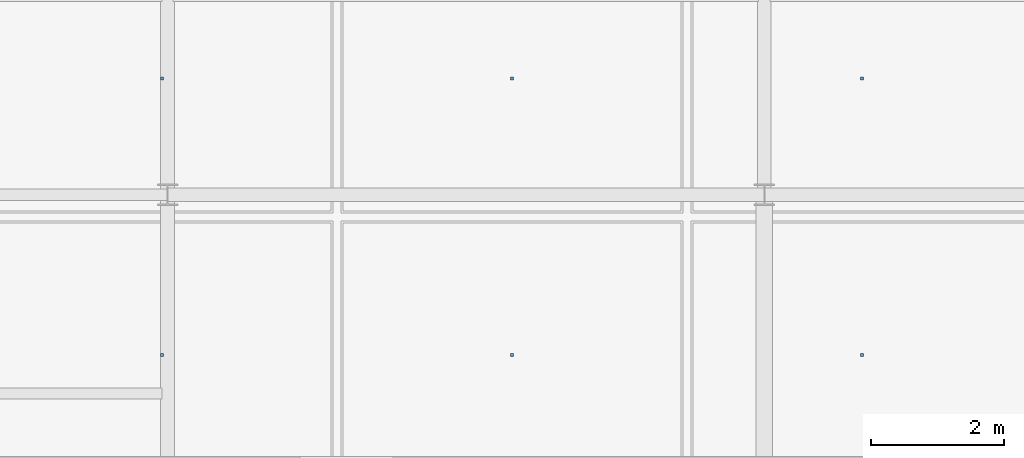
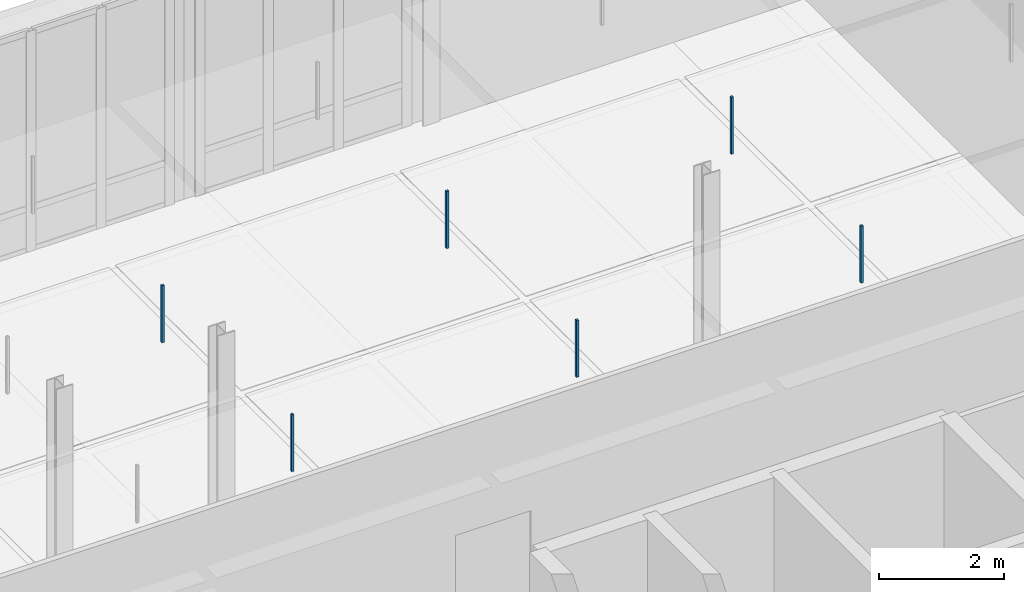
# One storey, part 110 of 140: 6 discrete accessories.
"""IFC4 building model written with IfcOpenShell, lengths in metres."""

from ifc_helpers import new_model, si_unit, direction, frame, origin, origin_2d, place, context, subcontext, project, spatial, rectangle, extrude, material, type_object, element, save


model = new_model("IFC4")

# Units and contexts
model_context = context("Model", 3, precision=1e-05, world=origin(), true_north=direction((0.0, 1.0)))
body_context = subcontext(model_context, "Body", "Model", "MODEL_VIEW")
ifc_project = project(units=[si_unit("LENGTHUNIT", "METRE"), si_unit("AREAUNIT", "SQUARE_METRE"), si_unit("VOLUMEUNIT", "CUBIC_METRE"), si_unit("PLANEANGLEUNIT", "RADIAN"), si_unit("MASSUNIT", "GRAM", prefix="KILO"), si_unit("THERMODYNAMICTEMPERATUREUNIT", "KELVIN"), si_unit("POWERUNIT", "WATT")], contexts=[model_context])

# Site, building, storey
site_placement = place(None, origin())
site = spatial("IfcSite", under=ifc_project, at=site_placement, CompositionType="ELEMENT")
building_placement = place(site_placement, origin())
building = spatial("IfcBuilding", under=site, at=building_placement, Name="Tallowbark Science Centre", CompositionType="ELEMENT")
storey_placement = place(building_placement, frame((0.0, 0.0, 9.89990234375)))
storey = spatial("IfcBuildingStorey", under=building, at=storey_placement, Name="L02", CompositionType="ELEMENT", Elevation=9.89990234375)

# Discrete accessories
ifc_material = material(Name="Galvanised Steel Grade C350L0 (350 MPa)", Category="steel")
discrete_accessory_type = type_object("IfcDiscreteAccessoryType", Name="ACC-CLG-HNG", PredefinedType="BRACKET", material=ifc_material)
for number, where, z_axis, x_axis, name in (
    (1, (71.916748046875, 87.583251953125, 3.205078125), (0.0, 0.0, 1.0), (1.0, 0.0, 0.0), "Ceiling Hanger Bracket L02-872"),
    (2, (71.916748046875, 91.75, 3.205078125), (0.0, 0.0, 1.0), (1.0, 0.0, 0.0), "Ceiling Hanger Bracket L02-873"),
    (3, (77.1943359375, 87.583251953125, 3.205078125), (0.0, 0.0, 1.0), (1.0, 0.0, 0.0), "Ceiling Hanger Bracket L02-875"),
    (4, (77.1943359375, 91.75, 3.205078125), (0.0, 0.0, 1.0), (1.0, 0.0, 0.0), "Ceiling Hanger Bracket L02-876"),
    (5, (82.47216796875, 87.583251953125, 3.205078125), (0.0, 0.0, 1.0), (1.0, 0.0, 0.0), "Ceiling Hanger Bracket L02-878"),
    (6, (82.47216796875, 91.75, 3.205078125), (0.0, 0.0, 1.0), (1.0, 0.0, 0.0), "Ceiling Hanger Bracket L02-879"),
):
    element("IfcDiscreteAccessory", number, at=place(storey_placement, frame(where, z_axis=z_axis, x_axis=x_axis)), inside=storey, type_object=discrete_accessory_type, Name=name, PredefinedType="BRACKET", context=body_context, shape_type="SweptSolid", body=[
        extrude(rectangle(XDim=0.044921875, YDim=0.044921875, at=origin_2d()), origin(), (0.0, 0.0, 1.0), 1.117919921875),
    ])

save(model, "model.ifc")
